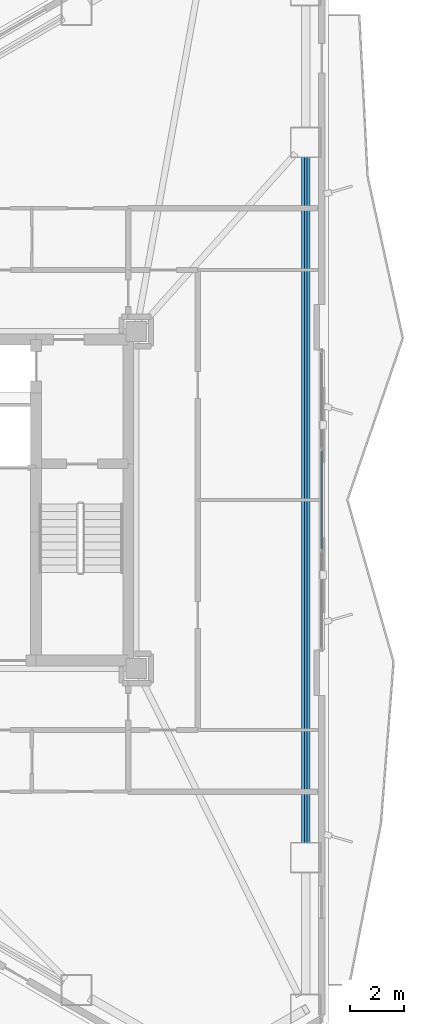
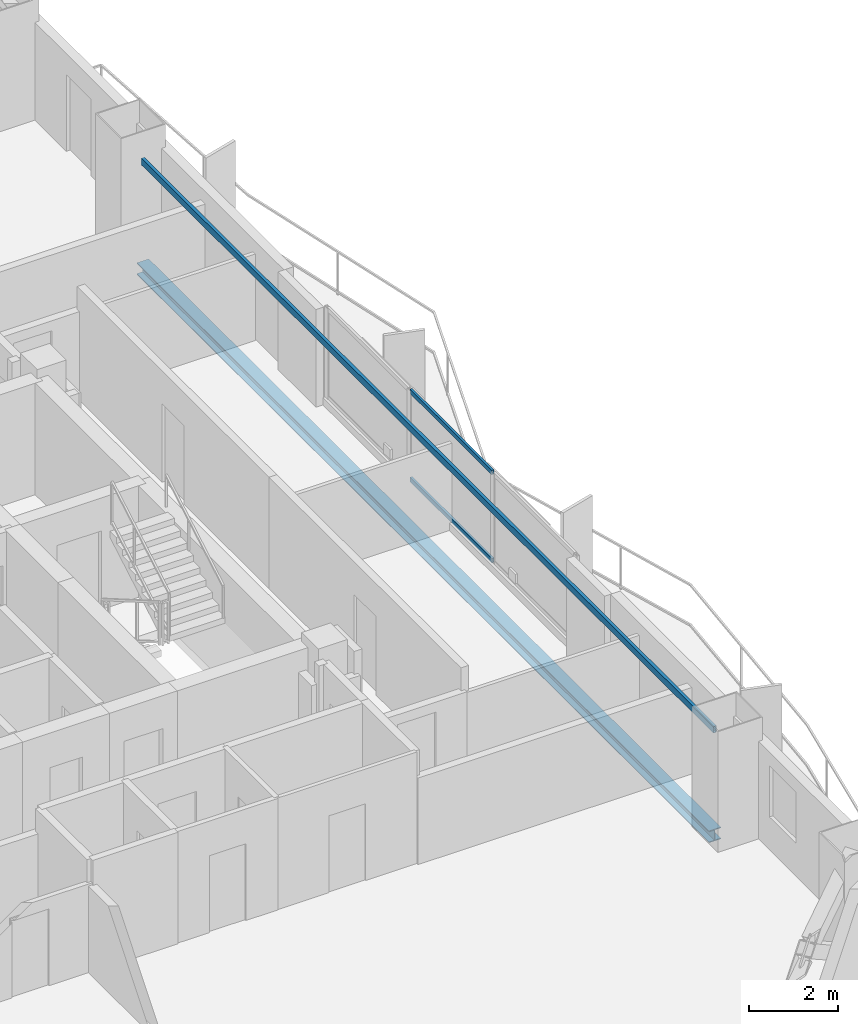
# One storey, part 9 of 23: 2 beams, 2 members, 1 element without a shape of its own.
"""IFC4 building model written with IfcOpenShell, lengths in metres."""

from ifc_helpers import new_model, si_unit, direction, frame, origin, origin_2d, place, context, subcontext, project, spatial, hollow_rectangle, i_section, extrude, material, layer, layer_set, material_profile, profile_set, type_object, element, aggregate, save


model = new_model("IFC4")

# Units and contexts
model_context = context("Model", 3, precision=1e-05, world=origin(), true_north=direction((0.0, 1.0)))
body_context = subcontext(model_context, "Body", "Model", "MODEL_VIEW")
ifc_project = project(units=[si_unit("LENGTHUNIT", "METRE"), si_unit("AREAUNIT", "SQUARE_METRE"), si_unit("VOLUMEUNIT", "CUBIC_METRE"), si_unit("PLANEANGLEUNIT", "RADIAN"), si_unit("MASSUNIT", "GRAM", prefix="KILO")], contexts=[model_context])

# Site, building, storey
site_placement = place(None, origin())
site = spatial("IfcSite", under=ifc_project, at=site_placement, CompositionType="ELEMENT")
building_placement = place(site_placement, origin())
building = spatial("IfcBuilding", under=site, at=building_placement, Name="Mersakhor Tower and Convention Hall", CompositionType="ELEMENT")
storey_placement = place(building_placement, frame((0.0, 0.0, 96.60009765625)))
storey = spatial("IfcBuildingStorey", under=building, at=storey_placement, Name="L26", CompositionType="ELEMENT", Elevation=96.60009765625)

# Beams
ifc_material_1 = material(Name="Steel S355", Category="steel")
ifc_material_profile_1 = material_profile(ifc_material_1, hollow_rectangle(XDim=0.080078125, YDim=0.179931640625, WallThickness=0.008056640625, at=origin_2d()), Name="RHS 180x80x8")
ifc_profile_set_1 = profile_set([ifc_material_profile_1], Name="Steel S355")
beam_type_1 = type_object("IfcBeamType", Name="BM-GRT-RHS180", PredefinedType="USERDEFINED", material=ifc_profile_set_1)
beam_1_placement = place(storey_placement, frame((42.4345703125, 39.566650390625, 2.47998046875), z_axis=(0.0, -1.0, 0.0), x_axis=(1.0, 0.0, 0.0)))
element("IfcBeam", 1, at=beam_1_placement, inside=storey, type_object=beam_type_1, Name="L26 Facade Support Girt GRT-F2", ObjectType="GIRT", PredefinedType="USERDEFINED", context=body_context, shape_type="SweptSolid", body=[
    extrude(hollow_rectangle(XDim=0.080078125, YDim=0.179931640625, WallThickness=0.008056640625, at=origin_2d()), origin(), (0.0, 0.0, 1.0), 25.63330078125),
])
ifc_material_2 = material(Name="Steel S355", Category="steel")
ifc_material_profile_2 = material_profile(ifc_material_2, i_section(OverallWidth=0.30908203125, OverallDepth=0.320556640625, WebThickness=0.013916015625, FlangeThickness=0.021728515625, at=origin_2d()), Name="UC 305x305x137")
ifc_profile_set_2 = profile_set([ifc_material_profile_2], Name="Steel S355")
beam_type_2 = type_object("IfcBeamType", Name="BM-SPD-UC305", PredefinedType="SPANDREL", material=ifc_profile_set_2)
beam_2_placement = place(storey_placement, frame((42.4345703125, 39.566650390625, -0.410400390625), z_axis=(0.0, -1.0, 0.0), x_axis=(1.0, 0.0, 0.0)))
element("IfcBeam", 2, at=beam_2_placement, inside=storey, type_object=beam_type_2, Name="L26 Perimeter Spandrel Beam SPB-06", PredefinedType="SPANDREL", context=body_context, shape_type="SweptSolid", body=[
    extrude(i_section(OverallWidth=0.30908203125, OverallDepth=0.320556640625, WebThickness=0.013916015625, FlangeThickness=0.021728515625, at=origin_2d()), origin(), (0.0, 0.0, 1.0), 25.63330078125),
])

# Curtain wall, members
ifc_material_3 = material(Name="Dark solar low-E aluminium curtain wall", Category="aluminium")
ifc_layer = layer(ifc_material_3, 0.159912109375)
ifc_layer_set = layer_set([ifc_layer], Name="Dark solar low-E aluminium curtain wall")
curtain_wall_type = type_object("IfcCurtainWallType", Name="CW-SYS-01", PredefinedType="USERDEFINED", material=ifc_layer_set)
curtain_wall_placement = place(storey_placement, origin())
curtain_wall = element("IfcCurtainWall", 3, at=curtain_wall_placement, inside=storey, type_object=curtain_wall_type, Name="L26 Dark-Glass Curtain Wall F2-B2", ObjectType="CURTAIN WALL", PredefinedType="USERDEFINED")
ifc_material_4 = material(Name="Anodised aluminium EN AW-6063 T6", Category="aluminium")
ifc_material_profile_3 = material_profile(ifc_material_4, hollow_rectangle(XDim=0.06005859375, YDim=0.1201171875, WallThickness=0.0048828125, at=origin_2d()), Name="RHS 120x60x5")
ifc_profile_set_3 = profile_set([ifc_material_profile_3], Name="Anodised aluminium EN AW-6063 T6")
member_type = type_object("IfcMemberType", Name="CWT-120x60", PredefinedType="USERDEFINED", material=ifc_profile_set_3)
member_1_placement = place(storey_placement, frame((43.03466796875, 28.583984375, 0.22998046875), z_axis=(0.0, -1.0, 0.0), x_axis=(1.0, 0.0, 0.0)))
member_1 = element("IfcMember", 4, at=member_1_placement, type_object=member_type, Name="CW-01 transom 2.1", ObjectType="TRANSOM", PredefinedType="USERDEFINED", context=body_context, shape_type="SweptSolid", body=[
    extrude(hollow_rectangle(XDim=0.06005859375, YDim=0.1201171875, WallThickness=0.0048828125, at=origin_2d()), origin(), (0.0, 0.0, 1.0), 3.66796875),
])
member_2_placement = place(storey_placement, frame((43.03466796875, 28.583984375, 2.639892578125), z_axis=(0.0, -1.0, 0.0), x_axis=(1.0, 0.0, 0.0)))
member_2 = element("IfcMember", 5, at=member_2_placement, type_object=member_type, Name="CW-01 transom 2.2", ObjectType="TRANSOM", PredefinedType="USERDEFINED", context=body_context, shape_type="SweptSolid", body=[
    extrude(hollow_rectangle(XDim=0.06005859375, YDim=0.1201171875, WallThickness=0.0048828125, at=origin_2d()), origin(), (0.0, 0.0, 1.0), 3.66796875),
])
aggregate(curtain_wall, [member_1, member_2])

save(model, "model.ifc")
